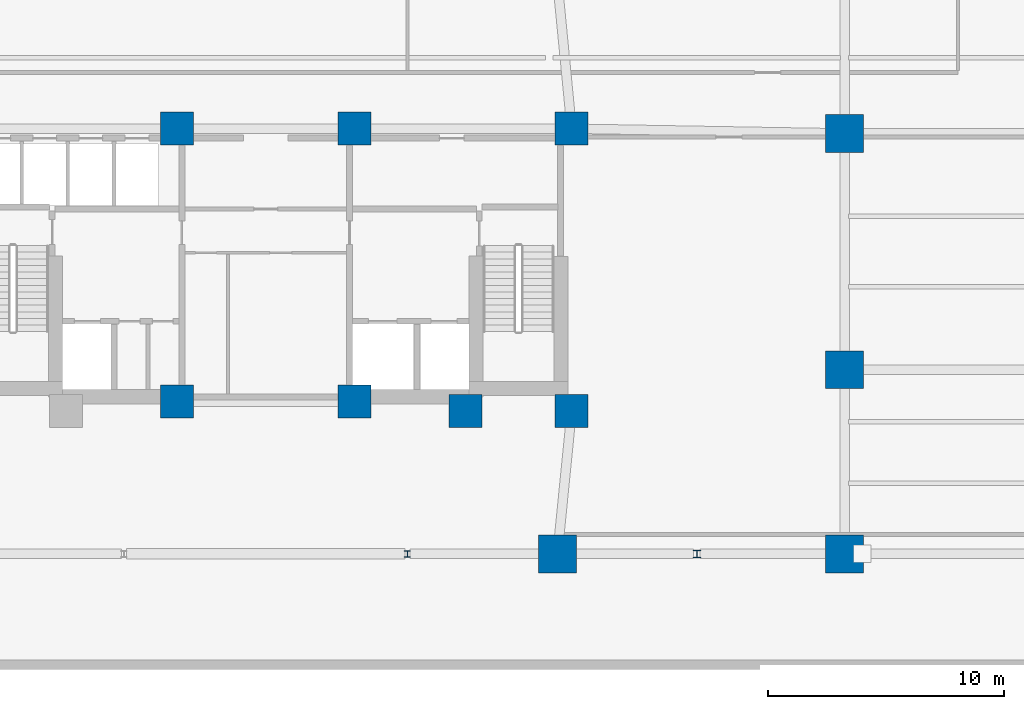
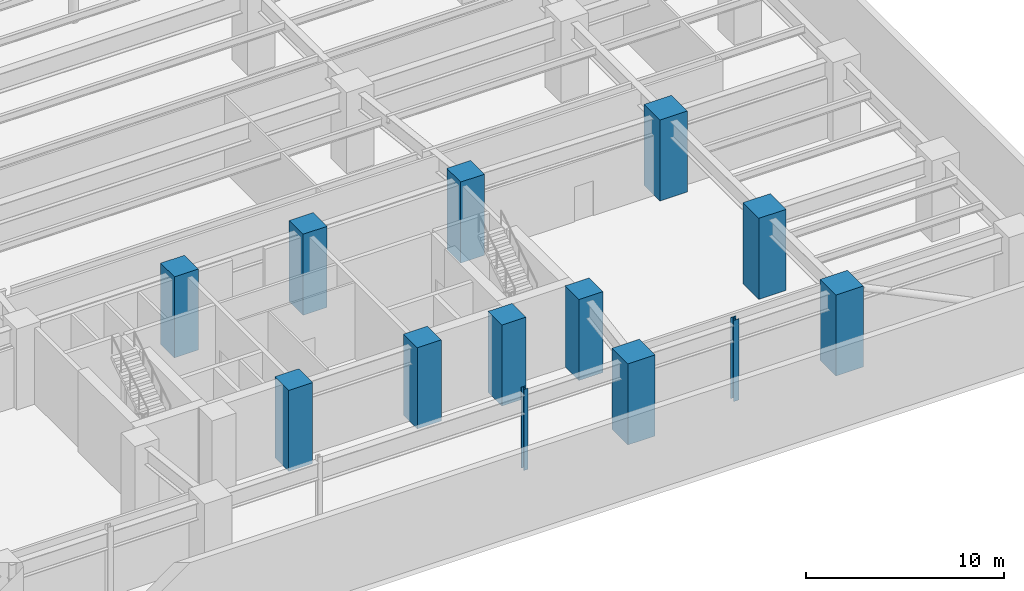
# One storey, part 2 of 12: 13 columns.
"""IFC4 building model written with IfcOpenShell, lengths in metres."""

from ifc_helpers import new_model, si_unit, direction, frame, origin, origin_2d, place, context, subcontext, project, spatial, rectangle, i_section, extrude, material, material_profile, profile_set, type_object, element, save


model = new_model("IFC4")

# Units and contexts
model_context = context("Model", 3, precision=1e-05, world=origin(), true_north=direction((0.0, 1.0)))
body_context = subcontext(model_context, "Body", "Model", "MODEL_VIEW")
ifc_project = project(units=[si_unit("LENGTHUNIT", "METRE"), si_unit("AREAUNIT", "SQUARE_METRE"), si_unit("VOLUMEUNIT", "CUBIC_METRE"), si_unit("PLANEANGLEUNIT", "RADIAN"), si_unit("MASSUNIT", "GRAM", prefix="KILO")], contexts=[model_context])

# Site, building, storey
site_placement = place(None, origin())
site = spatial("IfcSite", under=ifc_project, at=site_placement, CompositionType="ELEMENT")
building_placement = place(site_placement, origin())
building = spatial("IfcBuilding", under=site, at=building_placement, Name="Quenlor Broadcast Tower", CompositionType="ELEMENT")
storey_placement = place(building_placement, frame((0.0, 0.0, -5.0)))
storey = spatial("IfcBuildingStorey", under=building, at=storey_placement, Name="B01", CompositionType="ELEMENT", Elevation=-5.0)

# Columns
ifc_material_1 = material(Name="Concrete C65/80", Category="concrete")
ifc_material_profile_1 = material_profile(ifc_material_1, rectangle(XDim=1.39990234375, YDim=1.39990234375, at=origin_2d()))
ifc_profile_set_1 = profile_set([ifc_material_profile_1], Name="Concrete C65/80 RC1400x1400")
column_type_1 = type_object("IfcColumnType", Name="Core Corner Column Lower Concrete C65/80 1400", PredefinedType="COLUMN", material=ifc_profile_set_1)
for number, where, z_axis, x_axis, name in (
    (1, (-3.75, -16.35009765625, 0.0), (0.0, 0.0, 1.0), (1.0, 0.0, 0.0), "B01 Core Column CC3"),
    (2, (3.75, -16.35009765625, 0.0), (0.0, 0.0, 1.0), (1.0, 0.0, 0.0), "B01 Core Column CC4"),
    (3, (8.449951171875, -16.75, 0.0), (0.0, 0.0, 1.0), (1.0, 0.0, 0.0), "B01 Core Column CC5"),
    (4, (12.949951171875, -16.75, 0.0), (0.0, 0.0, 1.0), (1.0, 0.0, 0.0), "B01 Core Column CC6"),
    (5, (-3.75, -4.800048828125, 0.0), (0.0, 0.0, 1.0), (1.0, 0.0, 0.0), "B01 Core Column CC8"),
    (6, (3.75, -4.800048828125, 0.0), (0.0, 0.0, 1.0), (1.0, 0.0, 0.0), "B01 Core Column CC9"),
    (7, (12.949951171875, -4.800048828125, 0.0), (0.0, 0.0, 1.0), (1.0, 0.0, 0.0), "B01 Core Column CC10"),
):
    element("IfcColumn", number, at=place(storey_placement, frame(where, z_axis=z_axis, x_axis=x_axis)), inside=storey, type_object=column_type_1, Name=name, PredefinedType="COLUMN", context=body_context, shape_type="SweptSolid", body=[
        extrude(rectangle(XDim=1.39990234375, YDim=1.39990234375, at=origin_2d()), origin(), (0.0, 0.0, 1.0), 5.0),
    ])
ifc_material_2 = material(Name="Steel S355", Category="steel")
ifc_material_profile_2 = material_profile(ifc_material_2, i_section(OverallWidth=0.30908203125, OverallDepth=0.320556640625, WebThickness=0.013916015625, FlangeThickness=0.021728515625, FilletRadius=0.0166015625, at=origin_2d()))
ifc_profile_set_2 = profile_set([ifc_material_profile_2], Name="Steel S355 310UC137")
column_type_2 = type_object("IfcColumnType", Name="Podium Canopy Post Steel S355 310UC137", PredefinedType="COLUMN", material=ifc_profile_set_2)
column_1_placement = place(storey_placement, frame((18.25, -22.800048828125, 0.0), z_axis=(0.0, 0.0, 1.0), x_axis=(1.0, 0.0, 0.0)))
element("IfcColumn", 8, at=column_1_placement, inside=storey, type_object=column_type_2, Name="B01 Station Steel Column SPE1", PredefinedType="COLUMN", context=body_context, shape_type="SweptSolid", body=[
    extrude(i_section(OverallWidth=0.30908203125, OverallDepth=0.320556640625, WebThickness=0.013916015625, FlangeThickness=0.021728515625, FilletRadius=0.0166015625, at=origin_2d()), origin(), (0.0, 0.0, 1.0), 5.0),
])
ifc_material_3 = material(Name="Steel S355", Category="steel")
ifc_material_profile_3 = material_profile(ifc_material_3, i_section(OverallWidth=0.256103515625, OverallDepth=0.260009765625, WebThickness=0.010498046875, FlangeThickness=0.017333984375, FilletRadius=0.013916015625, at=origin_2d()))
ifc_profile_set_3 = profile_set([ifc_material_profile_3], Name="Steel S355 250UC89.5")
column_type_3 = type_object("IfcColumnType", Name="Podium Gallery Post Steel S355 250UC89.5", PredefinedType="COLUMN", material=ifc_profile_set_3)
column_2_placement = place(storey_placement, frame((6.0, -22.800048828125, 0.0), z_axis=(0.0, 0.0, 1.0), x_axis=(1.0, 0.0, 0.0)))
element("IfcColumn", 9, at=column_2_placement, inside=storey, type_object=column_type_3, Name="B01 Station Steel Column SPE2", PredefinedType="COLUMN", context=body_context, shape_type="SweptSolid", body=[
    extrude(i_section(OverallWidth=0.256103515625, OverallDepth=0.260009765625, WebThickness=0.010498046875, FlangeThickness=0.017333984375, FilletRadius=0.013916015625, at=origin_2d()), origin(), (0.0, 0.0, 1.0), 5.0),
])
ifc_material_4 = material(Name="Concrete C65/80", Category="concrete")
ifc_material_profile_4 = material_profile(ifc_material_4, rectangle(XDim=1.60009765625, YDim=1.60009765625, at=origin_2d()))
ifc_profile_set_4 = profile_set([ifc_material_profile_4], Name="Concrete C65/80 RC1600x1600")
column_type_4 = type_object("IfcColumnType", Name="Podium Mega Column Concrete C65/80 1600", PredefinedType="COLUMN", material=ifc_profile_set_4)
for number, where, z_axis, x_axis, name in (
    (10, (12.35009765625, -22.800048828125, 0.0), (0.0, 0.0, 1.0), (1.0, 0.0, 0.0), "B01 Podium Mega Column PM4"),
    (11, (24.5, -22.800048828125, 0.0), (0.0, 0.0, 1.0), (1.0, 0.0, 0.0), "B01 Podium Mega Column PM5"),
    (12, (24.5, -15.0, 0.0), (0.0, 0.0, 1.0), (1.0, 0.0, 0.0), "B01 Podium Mega Column PM9"),
    (13, (24.5, -5.0, 0.0), (0.0, 0.0, 1.0), (1.0, 0.0, 0.0), "B01 Podium Mega Column PM13"),
):
    element("IfcColumn", number, at=place(storey_placement, frame(where, z_axis=z_axis, x_axis=x_axis)), inside=storey, type_object=column_type_4, Name=name, PredefinedType="COLUMN", context=body_context, shape_type="SweptSolid", body=[
        extrude(rectangle(XDim=1.60009765625, YDim=1.60009765625, at=origin_2d()), origin(), (0.0, 0.0, 1.0), 5.0),
    ])

save(model, "model.ifc")
